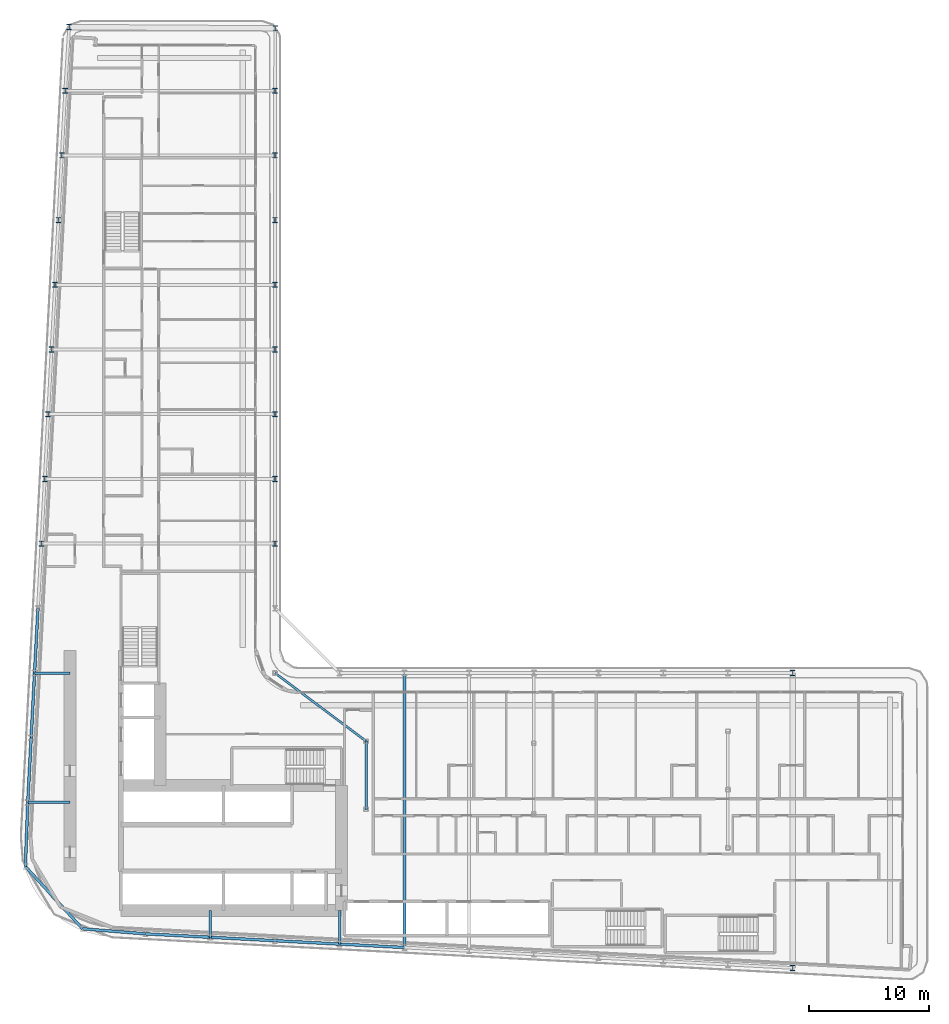
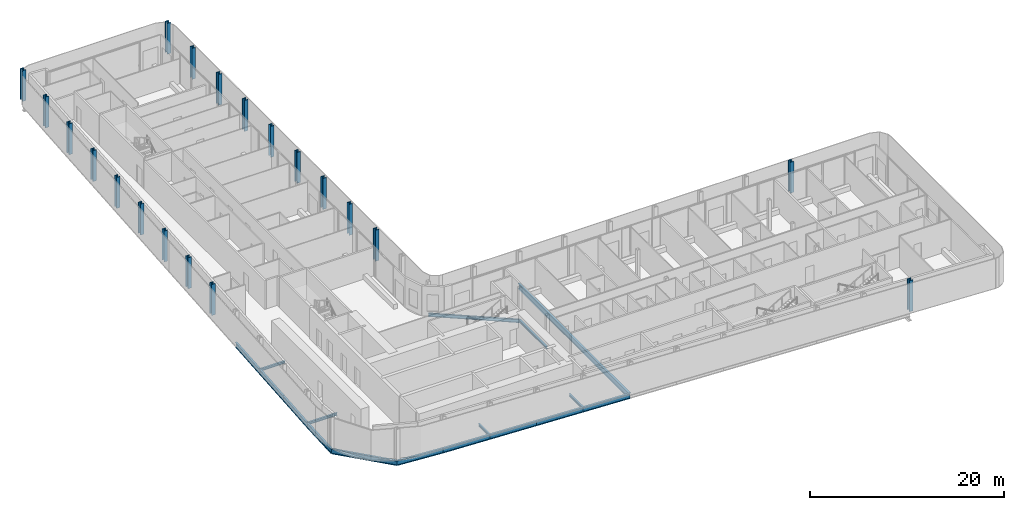
# One storey, part 3 of 29: 20 columns, 17 beams.
"""IFC4 building model written with IfcOpenShell, lengths in metres."""

from ifc_helpers import new_model, si_unit, direction, frame, origin, origin_2d, place, context, subcontext, project, spatial, i_section, extrude, material, material_profile, profile_set, type_object, element, save


model = new_model("IFC4")

# Units and contexts
model_context = context("Model", 3, precision=1e-05, world=origin(), true_north=direction((0.0, 1.0)))
body_context = subcontext(model_context, "Body", "Model", "MODEL_VIEW")
ifc_project = project(units=[si_unit("LENGTHUNIT", "METRE"), si_unit("AREAUNIT", "SQUARE_METRE"), si_unit("VOLUMEUNIT", "CUBIC_METRE"), si_unit("PLANEANGLEUNIT", "RADIAN"), si_unit("MASSUNIT", "GRAM", prefix="KILO")], contexts=[model_context])

# Site, building, storey
site_placement = place(None, origin())
site = spatial("IfcSite", under=ifc_project, at=site_placement, CompositionType="ELEMENT")
building_placement = place(site_placement, origin())
building = spatial("IfcBuilding", under=site, at=building_placement, Name="Kheshtan School and Residences Tower", CompositionType="ELEMENT")
storey_placement = place(building_placement, frame((0.0, 0.0, 69.5)))
storey = spatial("IfcBuildingStorey", under=building, at=storey_placement, Name="L16", CompositionType="ELEMENT", Elevation=69.5)

# Columns
ifc_material = material(Name="Steel ASTM A992 Grade 50", Category="steel")
ifc_material_profile_1 = material_profile(ifc_material, i_section(OverallWidth=0.424072265625, OverallDepth=0.47412109375, WebThickness=0.047607421875, FlangeThickness=0.0771484375, FilletRadius=0.01416015625, at=origin_2d()), Name="W360x634")
ifc_profile_set_1 = profile_set([ifc_material_profile_1], Name="Steel ASTM A992 Grade 50")
column_type = type_object("IfcColumnType", Name="Column C1 W360x634 ASTM A992 Grade 50", PredefinedType="COLUMN", material=ifc_profile_set_1)
for number, where, z_axis, x_axis, name in (
    (1, (90.800048828125, 20.989990234375, 0.0), (0.0, 0.0, 1.0), (1.0, 0.0, 0.0), "Column C006"),
    (2, (90.800048828125, 45.60009765625, 0.0), (0.0, 0.0, 1.0), (1.0, 0.0, 0.0), "Column C068"),
    (3, (28.10595703125, 56.39990234375, 0.0), (0.0, 0.0, 1.0), (1.0, 0.0, 0.0), "Column C080"),
    (4, (47.60009765625, 56.39990234375, 0.0), (0.0, 0.0, 1.0), (1.0, 0.0, 0.0), "Column C081"),
    (5, (28.389892578125, 61.800048828125, 0.0), (0.0, 0.0, 1.0), (1.0, 0.0, 0.0), "Column C082"),
    (6, (47.60009765625, 61.800048828125, 0.0), (0.0, 0.0, 1.0), (1.0, 0.0, 0.0), "Column C083"),
    (7, (28.674072265625, 67.199951171875, 0.0), (0.0, 0.0, 1.0), (1.0, 0.0, 0.0), "Column C084"),
    (8, (47.60009765625, 67.199951171875, 0.0), (0.0, 0.0, 1.0), (1.0, 0.0, 0.0), "Column C085"),
    (9, (28.9580078125, 72.60009765625, 0.0), (0.0, 0.0, 1.0), (1.0, 0.0, 0.0), "Column C086"),
    (10, (47.60009765625, 72.60009765625, 0.0), (0.0, 0.0, 1.0), (1.0, 0.0, 0.0), "Column C087"),
    (11, (29.242919921875, 78.0, 0.0), (0.0, 0.0, 1.0), (1.0, 0.0, 0.0), "Column C088"),
    (12, (47.60009765625, 78.0, 0.0), (0.0, 0.0, 1.0), (1.0, 0.0, 0.0), "Column C089"),
    (13, (29.527099609375, 83.39990234375, 0.0), (0.0, 0.0, 1.0), (1.0, 0.0, 0.0), "Column C090"),
    (14, (47.60009765625, 83.39990234375, 0.0), (0.0, 0.0, 1.0), (1.0, 0.0, 0.0), "Column C091"),
    (15, (29.81103515625, 88.800048828125, 0.0), (0.0, 0.0, 1.0), (1.0, 0.0, 0.0), "Column C098"),
    (16, (47.60009765625, 88.800048828125, 0.0), (0.0, 0.0, 1.0), (1.0, 0.0, 0.0), "Column C099"),
    (17, (30.094970703125, 94.199951171875, 0.0), (0.0, 0.0, 1.0), (1.0, 0.0, 0.0), "Column C106"),
    (18, (47.60009765625, 94.199951171875, 0.0), (0.0, 0.0, 1.0), (1.0, 0.0, 0.0), "Column C107"),
    (19, (47.6298828125, 99.402099609375, 0.0), (0.0, 0.0, 1.0), (1.0, 0.0, 0.0), "Column C113"),
    (20, (30.424072265625, 99.510009765625, 0.0), (0.0, 0.0, 1.0), (1.0, 0.0, 0.0), "Column C121"),
):
    element("IfcColumn", number, at=place(storey_placement, frame(where, z_axis=z_axis, x_axis=x_axis)), inside=storey, type_object=column_type, Name=name, PredefinedType="COLUMN", context=body_context, shape_type="SweptSolid", body=[
        extrude(i_section(OverallWidth=0.424072265625, OverallDepth=0.47412109375, WebThickness=0.047607421875, FlangeThickness=0.0771484375, FilletRadius=0.01416015625, at=origin_2d()), origin(), (0.0, 0.0, 1.0), 3.89990234375),
    ])

# Beams
ifc_material_profile_2 = material_profile(ifc_material, i_section(OverallWidth=0.202880859375, OverallDepth=0.302978515625, WebThickness=0.007568359375, FlangeThickness=0.01318359375, FilletRadius=0.009033203125, at=origin_2d()), Name="W310x60")
ifc_profile_set_2 = profile_set([ifc_material_profile_2], Name="Steel ASTM A992 Grade 50")
beam_type_1 = type_object("IfcBeamType", Name="Beam FB1 W310x60 ASTM A992 Grade 50", PredefinedType="BEAM", material=ifc_profile_set_2)
beam_1_placement = place(storey_placement, frame((53.0, 22.97998046875, -0.301513671875), z_axis=(0.0, 1.0, 0.0), x_axis=(-1.0, 0.0, 0.0)))
element("IfcBeam", 21, at=beam_1_placement, inside=storey, type_object=beam_type_1, Name="Floor beam C019", PredefinedType="BEAM", context=body_context, shape_type="SweptSolid", body=[
    extrude(i_section(OverallWidth=0.202880859375, OverallDepth=0.302978515625, WebThickness=0.007568359375, FlangeThickness=0.01318359375, FilletRadius=0.009033203125, at=origin_2d()), origin(), (0.0, 0.0, 1.0), 2.820068359375),
])
beam_2_placement = place(storey_placement, frame((42.199951171875, 23.548095703125, -0.301513671875), z_axis=(0.0, 1.0, 0.0), x_axis=(-1.0, 0.0, 0.0)))
element("IfcBeam", 22, at=beam_2_placement, inside=storey, type_object=beam_type_1, Name="Floor beam C021", PredefinedType="BEAM", context=body_context, shape_type="SweptSolid", body=[
    extrude(i_section(OverallWidth=0.202880859375, OverallDepth=0.302978515625, WebThickness=0.007568359375, FlangeThickness=0.01318359375, FilletRadius=0.009033203125, at=origin_2d()), origin(), (0.0, 0.0, 1.0), 2.251953125),
])
beam_3_placement = place(storey_placement, frame((26.968994140625, 34.800048828125, -0.301513671875), z_axis=(1.0, 0.0, 0.0), x_axis=(0.0, 1.0, 0.0)))
element("IfcBeam", 23, at=beam_3_placement, inside=storey, type_object=beam_type_1, Name="Floor beam C052", PredefinedType="BEAM", context=body_context, shape_type="SweptSolid", body=[
    extrude(i_section(OverallWidth=0.202880859375, OverallDepth=0.302978515625, WebThickness=0.007568359375, FlangeThickness=0.01318359375, FilletRadius=0.009033203125, at=origin_2d()), origin(), (0.0, 0.0, 1.0), 3.531005859375),
])
beam_4_placement = place(storey_placement, frame((27.537109375, 45.60009765625, -0.301513671875), z_axis=(1.0, 0.0, 0.0), x_axis=(0.0, 1.0, 0.0)))
element("IfcBeam", 24, at=beam_4_placement, inside=storey, type_object=beam_type_1, Name="Floor beam C059", PredefinedType="BEAM", context=body_context, shape_type="SweptSolid", body=[
    extrude(i_section(OverallWidth=0.202880859375, OverallDepth=0.302978515625, WebThickness=0.007568359375, FlangeThickness=0.01318359375, FilletRadius=0.009033203125, at=origin_2d()), origin(), (0.0, 0.0, 1.0), 2.962890625),
])
beam_5_placement = place(storey_placement, frame((55.199951171875, 34.23193359375, -0.301513671875), z_axis=(0.0, 1.0, 0.0), x_axis=(-1.0, 0.0, 0.0)))
element("IfcBeam", 25, at=beam_5_placement, inside=storey, type_object=beam_type_1, Name="Floor beam IC", PredefinedType="BEAM", context=body_context, shape_type="SweptSolid", body=[
    extrude(i_section(OverallWidth=0.202880859375, OverallDepth=0.302978515625, WebThickness=0.007568359375, FlangeThickness=0.01318359375, FilletRadius=0.009033203125, at=origin_2d()), origin(), (0.0, 0.0, 1.0), 5.68408203125),
])
ifc_material_profile_3 = material_profile(ifc_material, i_section(OverallWidth=0.180908203125, OverallDepth=0.4169921875, WebThickness=0.010986328125, FlangeThickness=0.018310546875, FilletRadius=0.012451171875, at=origin_2d()), Name="W410x85")
ifc_profile_set_3 = profile_set([ifc_material_profile_3], Name="Steel ASTM A992 Grade 50")
beam_type_2 = type_object("IfcBeamType", Name="Beam FB3 W410x85 ASTM A992 Grade 50", PredefinedType="BEAM", material=ifc_profile_set_3)
beam_6_placement = place(storey_placement, frame((47.60009765625, 45.60009765625, -0.3583984375), z_axis=(0.800798828004, -0.598933416222, 0.0), x_axis=(0.598933416222, 0.800798828004, 0.0)))
element("IfcBeam", 26, at=beam_6_placement, inside=storey, type_object=beam_type_2, Name="Floor beam IC", PredefinedType="BEAM", context=body_context, shape_type="SweptSolid", body=[
    extrude(i_section(OverallWidth=0.180908203125, OverallDepth=0.4169921875, WebThickness=0.010986328125, FlangeThickness=0.018310546875, FilletRadius=0.012451171875, at=origin_2d()), origin(), (0.0, 0.0, 1.0), 9.490234375),
])
ifc_material_profile_4 = material_profile(ifc_material, i_section(OverallWidth=0.2529296875, OverallDepth=0.677978515625, WebThickness=0.01171875, FlangeThickness=0.016357421875, FilletRadius=0.0146484375, at=origin_2d()), Name="W690x125")
ifc_profile_set_4 = profile_set([ifc_material_profile_4], Name="Steel ASTM A992 Grade 50")
beam_type_3 = type_object("IfcBeamType", Name="Beam FB6 W690x125 ASTM A992 Grade 50", PredefinedType="BEAM", material=ifc_profile_set_4)
beam_7_placement = place(storey_placement, frame((58.39990234375, 45.60009765625, -0.489013671875), z_axis=(0.0, -1.0, 0.0), x_axis=(1.0, 0.0, 0.0)))
element("IfcBeam", 27, at=beam_7_placement, inside=storey, type_object=beam_type_3, Name="Floor beam C062", PredefinedType="BEAM", context=body_context, shape_type="SweptSolid", body=[
    extrude(i_section(OverallWidth=0.2529296875, OverallDepth=0.677978515625, WebThickness=0.01171875, FlangeThickness=0.016357421875, FilletRadius=0.0146484375, at=origin_2d()), origin(), (0.0, 0.0, 1.0), 22.905029296875),
])
ifc_material_profile_5 = material_profile(ifc_material, i_section(OverallWidth=0.22998046875, OverallDepth=0.616943359375, WebThickness=0.01318359375, FlangeThickness=0.022216796875, FilletRadius=0.0185546875, at=origin_2d()), Name="W610x140")
ifc_profile_set_5 = profile_set([ifc_material_profile_5], Name="Steel ASTM A992 Grade 50")
beam_type_4 = type_object("IfcBeamType", Name="Beam SP1 W610x140 ASTM A992 Grade 50", PredefinedType="BEAM", material=ifc_profile_set_5)
for number, where, z_axis, x_axis, name in (
    (28, (58.39990234375, 22.695068359375, -0.45849609375), (-0.998610961136, 0.052689166816, 0.0), (-0.052689166816, -0.998610961136, 0.0), "Spandrel beam C018-C019"),
    (29, (53.0, 22.97998046875, -0.45849609375), (-0.998620447272, 0.05250906864, 0.0), (-0.05250906864, -0.998620447272, 0.0), "Spandrel beam C019-C020"),
):
    element("IfcBeam", number, at=place(storey_placement, frame(where, z_axis=z_axis, x_axis=x_axis)), inside=storey, type_object=beam_type_4, Name=name, PredefinedType="BEAM", context=body_context, shape_type="SweptSolid", body=[
        extrude(i_section(OverallWidth=0.22998046875, OverallDepth=0.616943359375, WebThickness=0.01318359375, FlangeThickness=0.022216796875, FilletRadius=0.0185546875, at=origin_2d()), origin(), (0.0, 0.0, 1.0), 5.407470703125),
    ])
beam_8_placement = place(storey_placement, frame((47.60009765625, 23.263916015625, -0.45849609375), z_axis=(-0.998618203458, 0.052551724256, 0.0), x_axis=(-0.052551724256, -0.998618203458, 0.0)))
element("IfcBeam", 30, at=beam_8_placement, inside=storey, type_object=beam_type_4, Name="Spandrel beam C020-C021", PredefinedType="BEAM", context=body_context, shape_type="SweptSolid", body=[
    extrude(i_section(OverallWidth=0.22998046875, OverallDepth=0.616943359375, WebThickness=0.01318359375, FlangeThickness=0.022216796875, FilletRadius=0.0185546875, at=origin_2d()), origin(), (0.0, 0.0, 1.0), 5.40771484375),
])
beam_9_placement = place(storey_placement, frame((42.199951171875, 23.548095703125, -0.45849609375), z_axis=(-0.998620447272, 0.05250906864, 0.0), x_axis=(-0.05250906864, -0.998620447272, 0.0)))
element("IfcBeam", 31, at=beam_9_placement, inside=storey, type_object=beam_type_4, Name="Spandrel beam C021-C022", PredefinedType="BEAM", context=body_context, shape_type="SweptSolid", body=[
    extrude(i_section(OverallWidth=0.22998046875, OverallDepth=0.616943359375, WebThickness=0.01318359375, FlangeThickness=0.022216796875, FilletRadius=0.0185546875, at=origin_2d()), origin(), (0.0, 0.0, 1.0), 5.407470703125),
])
beam_10_placement = place(storey_placement, frame((36.800048828125, 23.83203125, -0.45849609375), z_axis=(-0.996748565693, 0.08057479003, 0.0), x_axis=(-0.08057479003, -0.996748565693, 0.0)))
element("IfcBeam", 32, at=beam_10_placement, inside=storey, type_object=beam_type_4, Name="Spandrel beam C022-C025", PredefinedType="BEAM", context=body_context, shape_type="SweptSolid", body=[
    extrude(i_section(OverallWidth=0.22998046875, OverallDepth=0.616943359375, WebThickness=0.01318359375, FlangeThickness=0.022216796875, FilletRadius=0.0185546875, at=origin_2d()), origin(), (0.0, 0.0, 1.0), 5.275146484375),
])
beam_11_placement = place(storey_placement, frame((31.5419921875, 24.257080078125, -0.45849609375), z_axis=(-0.676418406149, 0.736517576045, 0.0), x_axis=(-0.736517576045, -0.676418406149, 0.0)))
element("IfcBeam", 33, at=beam_11_placement, inside=storey, type_object=beam_type_4, Name="Spandrel beam C025-C038", PredefinedType="BEAM", context=body_context, shape_type="SweptSolid", body=[
    extrude(i_section(OverallWidth=0.22998046875, OverallDepth=0.616943359375, WebThickness=0.01318359375, FlangeThickness=0.022216796875, FilletRadius=0.0185546875, at=origin_2d()), origin(), (0.0, 0.0, 1.0), 7.05615234375),
])
beam_12_placement = place(storey_placement, frame((26.76904296875, 29.4541015625, -0.45849609375), z_axis=(0.037376249491, 0.999301263871, 0.0), x_axis=(-0.999301263871, 0.037376249491, 0.0)))
element("IfcBeam", 34, at=beam_12_placement, inside=storey, type_object=beam_type_4, Name="Spandrel beam C038-C052", PredefinedType="BEAM", context=body_context, shape_type="SweptSolid", body=[
    extrude(i_section(OverallWidth=0.22998046875, OverallDepth=0.616943359375, WebThickness=0.01318359375, FlangeThickness=0.022216796875, FilletRadius=0.0185546875, at=origin_2d()), origin(), (0.0, 0.0, 1.0), 5.349609375),
])
beam_13_placement = place(storey_placement, frame((26.968994140625, 34.800048828125, -0.45849609375), z_axis=(0.05250906864, 0.998620447272, 0.0), x_axis=(-0.998620447272, 0.05250906864, 0.0)))
element("IfcBeam", 35, at=beam_13_placement, inside=storey, type_object=beam_type_4, Name="Spandrel beam C052-C056", PredefinedType="BEAM", context=body_context, shape_type="SweptSolid", body=[
    extrude(i_section(OverallWidth=0.22998046875, OverallDepth=0.616943359375, WebThickness=0.01318359375, FlangeThickness=0.022216796875, FilletRadius=0.0185546875, at=origin_2d()), origin(), (0.0, 0.0, 1.0), 5.407470703125),
])
beam_14_placement = place(storey_placement, frame((27.2529296875, 40.199951171875, -0.45849609375), z_axis=(0.052551724256, 0.998618203458, 0.0), x_axis=(-0.998618203458, 0.052551724256, 0.0)))
element("IfcBeam", 36, at=beam_14_placement, inside=storey, type_object=beam_type_4, Name="Spandrel beam C056-C059", PredefinedType="BEAM", context=body_context, shape_type="SweptSolid", body=[
    extrude(i_section(OverallWidth=0.22998046875, OverallDepth=0.616943359375, WebThickness=0.01318359375, FlangeThickness=0.022216796875, FilletRadius=0.0185546875, at=origin_2d()), origin(), (0.0, 0.0, 1.0), 5.40771484375),
])
beam_15_placement = place(storey_placement, frame((27.537109375, 45.60009765625, -0.45849609375), z_axis=(0.052689166816, 0.998610961136, 0.0), x_axis=(-0.998610961136, 0.052689166816, 0.0)))
element("IfcBeam", 37, at=beam_15_placement, inside=storey, type_object=beam_type_4, Name="Spandrel beam C059-C078", PredefinedType="BEAM", context=body_context, shape_type="SweptSolid", body=[
    extrude(i_section(OverallWidth=0.22998046875, OverallDepth=0.616943359375, WebThickness=0.01318359375, FlangeThickness=0.022216796875, FilletRadius=0.0185546875, at=origin_2d()), origin(), (0.0, 0.0, 1.0), 5.407470703125),
])

save(model, "model.ifc")
